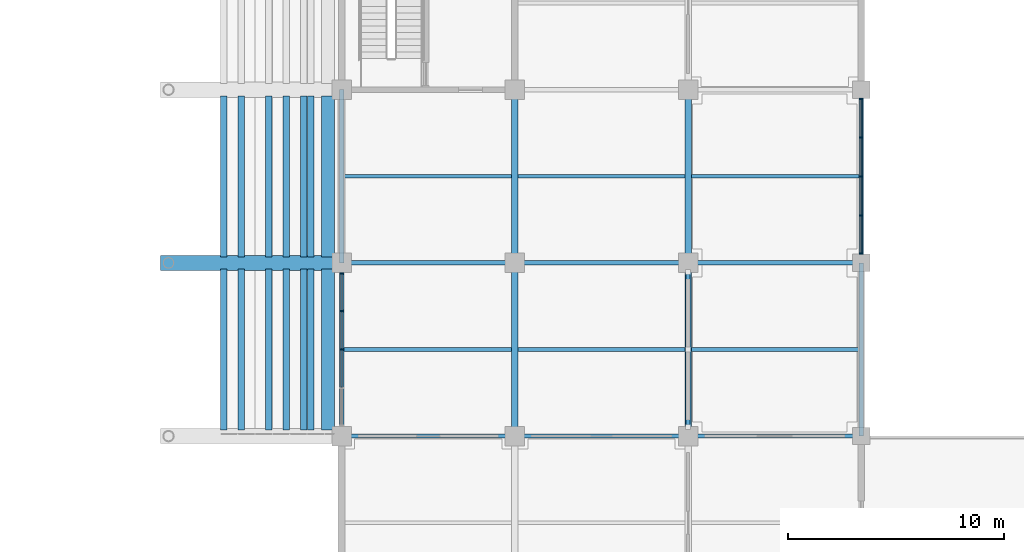
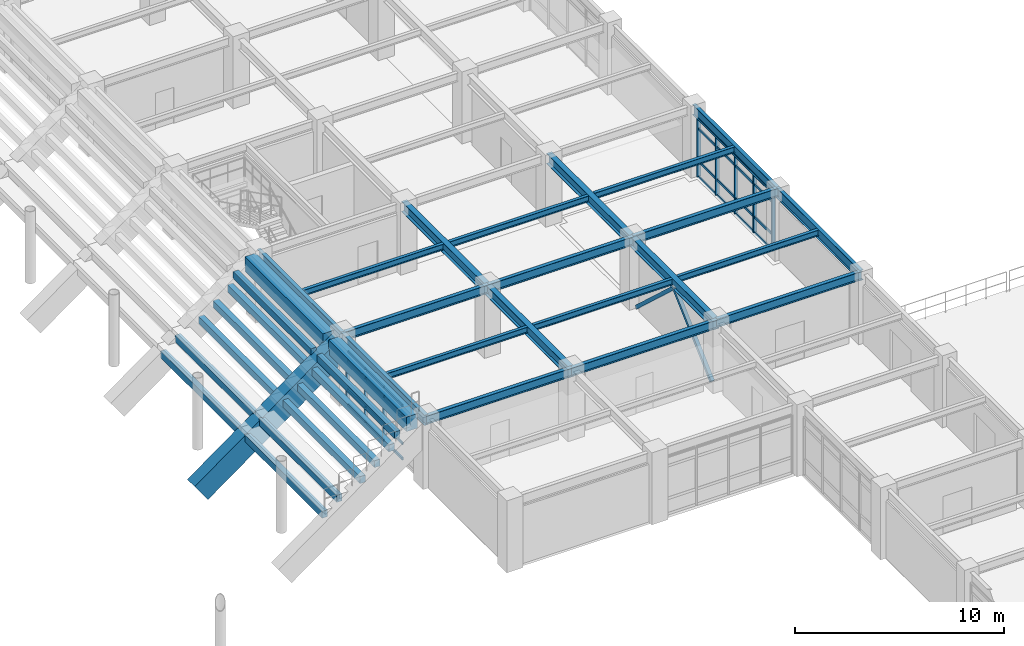
# One storey, part 37 of 118: 38 members, 35 beams, 2 elements without a shape of their own.
"""IFC4 building model written with IfcOpenShell, lengths in metres."""

import ifcopenshell
import ifcopenshell.guid

model = None  # the IFC model being written
_history = None  # IfcOwnerHistory: only IFC2X3 demands one
_inside = {}  # id of a spatial element -> (the spatial element, [elements in it])
_under = {}  # id of a project, library or spatial element -> (it, [spatial elements below it])
_declared = {}  # id of a project -> (the project, [libraries it declares])
_typed = {}  # id of a type object -> (the type object, [elements of that type])
_made_of = {}  # id of a material, layer set ... -> (it, [elements and type objects made of it])


def new_model(schema):
    """Start an empty IFC model of exactly this schema.

    Asked for "IFC4X3", IfcOpenShell would pick the latest addendum, in which some entities
    have other attributes; the version numbers below select the first issue.
    IFC2X3 requires an IfcOwnerHistory on every rooted entity: one is made here for all.
    """
    global model, _history
    if schema == "IFC4X3":
        model = ifcopenshell.file(schema_version=(4, 3, 0, 0))
    else:
        model = ifcopenshell.file(schema=schema)
    _inside.clear()
    _under.clear()
    _declared.clear()
    _typed.clear()
    _made_of.clear()
    _history = None
    if model.schema == "IFC2X3":
        org = make("IfcOrganization", Name="unknown")
        user = make(
            "IfcPersonAndOrganization",
            ThePerson=make("IfcPerson", FamilyName="unknown"),
            TheOrganization=org,
        )
        app = make(
            "IfcApplication",
            ApplicationDeveloper=org,
            Version="unknown",
            ApplicationFullName="unknown",
            ApplicationIdentifier="unknown",
        )
        _history = make(
            "IfcOwnerHistory",
            OwningUser=user,
            OwningApplication=app,
            ChangeAction="ADDED",
            CreationDate=0,
        )
    return model


def make(cls, **values):
    """One entity of the class cls with the attributes given. An attribute that is None is left unset."""
    return model.create_entity(
        cls, **{name: value for name, value in values.items() if value is not None}
    )


def rooted(cls, **values):
    """An entity with a GlobalId (a new one), such as an element, a storey or a relation."""
    return make(cls, GlobalId=ifcopenshell.guid.new(), OwnerHistory=_history, **values)


def si_unit(unit_type, name, prefix=None):
    """IfcSIUnit, for example si_unit("LENGTHUNIT", "METRE", prefix="MILLI")."""
    return make("IfcSIUnit", UnitType=unit_type, Prefix=prefix, Name=name)


def assignment(units):
    """IfcUnitAssignment: the units of a project."""
    return None if units is None else make("IfcUnitAssignment", Units=units)


def point(xyz):
    """IfcCartesianPoint."""
    return None if xyz is None else make("IfcCartesianPoint", Coordinates=xyz)


def direction(xyz):
    """IfcDirection."""
    return None if xyz is None else make("IfcDirection", DirectionRatios=xyz)


def frame(location, z_axis=None, x_axis=None):
    """IfcAxis2Placement3D, a coordinate frame: its origin and axes. An axis left out is left unset."""
    return make(
        "IfcAxis2Placement3D",
        Location=point(location),
        Axis=direction(z_axis),
        RefDirection=direction(x_axis),
    )


def frame_2d(location, x_axis=None):
    """IfcAxis2Placement2D, a coordinate frame in the plane: its origin and x axis."""
    return make(
        "IfcAxis2Placement2D", Location=point(location), RefDirection=direction(x_axis)
    )


def origin():
    """The frame at (0, 0, 0) with its axes left unset."""
    return frame((0.0, 0.0, 0.0))


def origin_2d():
    """The frame at (0, 0) in the plane with its x axis left unset."""
    return frame_2d((0.0, 0.0))


def place(relative_to, where):
    """IfcLocalPlacement: puts the frame where relative to a parent placement (None: the world)."""
    return make(
        "IfcLocalPlacement", PlacementRelTo=relative_to, RelativePlacement=where
    )


def context(
    kind, dimensions, precision=None, world=None, true_north=None, identifier=None
):
    """IfcGeometricRepresentationContext, for example the 3D "Model" context."""
    return make(
        "IfcGeometricRepresentationContext",
        ContextIdentifier=identifier,
        ContextType=kind,
        CoordinateSpaceDimension=dimensions,
        Precision=precision,
        WorldCoordinateSystem=world,
        TrueNorth=true_north,
    )


def subcontext(parent, identifier, kind, view, scale=None):
    """IfcGeometricRepresentationSubContext, for example "Body" below "Model"."""
    return make(
        "IfcGeometricRepresentationSubContext",
        ContextIdentifier=identifier,
        ContextType=kind,
        ParentContext=parent,
        TargetScale=scale,
        TargetView=view,
    )


def project(units=None, contexts=None):
    """IfcProject with its units and contexts."""
    return rooted(
        "IfcProject",
        Name="project",
        RepresentationContexts=contexts,
        UnitsInContext=assignment(units),
    )


def spatial(cls, under=None, at=None, **own):
    """A site, building, storey or space (cls), placed at a placement, below another one or the project."""
    s = rooted(cls, ObjectPlacement=at, **own)
    if under is not None:
        _under.setdefault(under.id(), (under, []))[1].append(s)
    return s


def profile(cls, at=None, kind="AREA", **sizes):
    """A parametric profile (cls). Its sizes go by their IFC names, for example OverallWidth=200.0."""
    return make(cls, ProfileType=kind, Position=at, **sizes)


def rectangle(**sizes):
    """IfcRectangleProfileDef."""
    return profile("IfcRectangleProfileDef", **sizes)


def hollow_rectangle(**sizes):
    """IfcRectangleHollowProfileDef."""
    return profile("IfcRectangleHollowProfileDef", **sizes)


def i_section(**sizes):
    """IfcIShapeProfileDef."""
    return profile("IfcIShapeProfileDef", **sizes)


def extrude(swept, where, along, depth):
    """IfcExtrudedAreaSolid: the profile swept, set in the frame where, extruded along a direction by depth."""
    return make(
        "IfcExtrudedAreaSolid",
        SweptArea=swept,
        Position=where,
        ExtrudedDirection=direction(along),
        Depth=depth,
    )


def shape(context_of_items, identifier, shape_type, items):
    """IfcShapeRepresentation: the items that make up one representation, for example the "Body"."""
    return make(
        "IfcShapeRepresentation",
        ContextOfItems=context_of_items,
        RepresentationIdentifier=identifier,
        RepresentationType=shape_type,
        Items=items,
    )


def material(Name=None, Category=None):
    """IfcMaterial."""
    return make("IfcMaterial", Name=Name, Category=Category)


def layer(
    of_material, thickness, ventilated=None, Name=None, Category=None, Priority=None
):
    """IfcMaterialLayer: one layer of a wall or slab, of a material (None: an air gap)."""
    return make(
        "IfcMaterialLayer",
        Material=of_material,
        LayerThickness=thickness,
        IsVentilated=ventilated,
        Name=Name,
        Category=Category,
        Priority=Priority,
    )


def layer_set(layers, Name=None):
    """IfcMaterialLayerSet."""
    return make("IfcMaterialLayerSet", MaterialLayers=layers, LayerSetName=Name)


def material_profile(
    of_material, cross_section, Name=None, Category=None, Priority=None
):
    """IfcMaterialProfile: a cross section and its material."""
    return make(
        "IfcMaterialProfile",
        Name=Name,
        Material=of_material,
        Profile=cross_section,
        Priority=Priority,
        Category=Category,
    )


def profile_set(profiles, Name=None, composite=None):
    """IfcMaterialProfileSet."""
    return make(
        "IfcMaterialProfileSet",
        Name=Name,
        MaterialProfiles=profiles,
        CompositeProfile=composite,
    )


def made_of(thing, what):
    """Note that an element or type object is made of a material, layer set ...; save() writes the relation."""
    if what is not None:
        _made_of.setdefault(what.id(), (what, []))[1].append(thing)
    return thing


def type_object(cls, material=None, **own):
    """A type object (cls), such as IfcWallType, which elements share."""
    return made_of(rooted(cls, **own), material)


def element(
    cls,
    number,
    at=None,
    inside=None,
    cuts=None,
    type_object=None,
    material=None,
    context=None,
    identifier="Body",
    shape_type=None,
    held_by="IfcProductDefinitionShape",
    body=None,
    shapes=None,
    **own,
):
    """One element of the class cls, such as IfcWall. Its Tag is "e" and its number.

    at: its placement. inside: the storey or other place that contains it. cuts: it is an
    opening in that element (IfcRelVoidsElement). A single representation is given by context,
    identifier, shape_type and body (its items); several are given by shapes. held_by: the class
    of the entity that holds the representations. save() writes the other relations.
    """
    e = rooted(cls, Tag="e%d" % number, ObjectPlacement=at, **own)
    if body is not None:
        shapes = [shape(context, identifier, shape_type, body)]
    if shapes is not None:
        e.Representation = make(held_by, Representations=shapes)
    if inside is not None:
        _inside.setdefault(inside.id(), (inside, []))[1].append(e)
    if cuts is not None:
        rooted(
            "IfcRelVoidsElement", RelatingBuildingElement=cuts, RelatedOpeningElement=e
        )
    if type_object is not None:
        _typed.setdefault(type_object.id(), (type_object, []))[1].append(e)
    return made_of(e, material)


def aggregate(whole, parts):
    """IfcRelAggregates: a whole, such as a stair, and the parts it consists of."""
    return rooted("IfcRelAggregates", RelatingObject=whole, RelatedObjects=parts)


def save(model, path):
    """Write the relations noted so far, then the file.

    IfcRelAggregates (storeys below a building ...), IfcRelContainedInSpatialStructure (elements
    in a storey), IfcRelDefinesByType, IfcRelAssociatesMaterial and IfcRelDeclares: one each for
    every whole, place, type object, material and project.
    """
    for whole, parts in _under.values():
        aggregate(whole, parts)
    for where, things in _inside.values():
        rooted(
            "IfcRelContainedInSpatialStructure",
            RelatedElements=things,
            RelatingStructure=where,
        )
    for kind, things in _typed.values():
        rooted("IfcRelDefinesByType", RelatedObjects=things, RelatingType=kind)
    for what, things in _made_of.values():
        rooted("IfcRelAssociatesMaterial", RelatedObjects=things, RelatingMaterial=what)
    for by, libraries in _declared.values():
        rooted("IfcRelDeclares", RelatingContext=by, RelatedDefinitions=libraries)
    model.write(path)


model = new_model("IFC4")

# Units and contexts
model_context = context("Model", 3, precision=1e-05, world=origin(), true_north=direction((0.0, 1.0)))
body_context = subcontext(model_context, "Body", "Model", "MODEL_VIEW")
ifc_project = project(units=[si_unit("LENGTHUNIT", "METRE"), si_unit("AREAUNIT", "SQUARE_METRE"), si_unit("VOLUMEUNIT", "CUBIC_METRE"), si_unit("PLANEANGLEUNIT", "RADIAN"), si_unit("MASSUNIT", "GRAM", prefix="KILO")], contexts=[model_context])

# Site, building, storey
site_placement = place(None, origin())
site = spatial("IfcSite", under=ifc_project, at=site_placement, CompositionType="ELEMENT")
building_placement = place(site_placement, origin())
building = spatial("IfcBuilding", under=site, at=building_placement, Name="Haebicheon Civic Stadium", CompositionType="ELEMENT")
storey_placement = place(building_placement, frame((0.0, 0.0, 14.39990234375)))
storey = spatial("IfcBuildingStorey", under=building, at=storey_placement, Name="L04", CompositionType="ELEMENT", Elevation=14.39990234375)

# Beams
ifc_material_1 = material(Name="Precast concrete C40/50", Category="concrete")
ifc_material_profile_1 = material_profile(ifc_material_1, rectangle(XDim=0.300048828125, YDim=0.39990234375, at=origin_2d()), Name="PC-LN-300x400")
ifc_profile_set_1 = profile_set([ifc_material_profile_1], Name="Precast concrete C40/50")
beam_type_1 = type_object("IfcBeamType", Name="BM-LN-300x400", PredefinedType="LINTEL", material=ifc_profile_set_1)
for number, where, z_axis, x_axis, name in (
    (1, (138.56005859375, 48.280029296875, -0.10693359375), (0.0, 1.0, 0.0), (-1.0, 0.0, 0.0), "TIER-E-U precast step carrier beam 1.4"),
    (2, (139.360107421875, 48.280029296875, 0.5380859375), (0.0, 1.0, 0.0), (-1.0, 0.0, 0.0), "TIER-E-U precast step carrier beam 1.5"),
    (3, (140.639892578125, 48.280029296875, 1.18212890625), (0.0, 1.0, 0.0), (-1.0, 0.0, 0.0), "TIER-E-U precast step carrier beam 1.6"),
    (4, (141.43994140625, 48.280029296875, 1.8271484375), (0.0, 1.0, 0.0), (-1.0, 0.0, 0.0), "TIER-E-U precast step carrier beam 1.7"),
    (5, (142.239990234375, 48.280029296875, 2.47119140625), (0.0, 1.0, 0.0), (-1.0, 0.0, 0.0), "TIER-E-U precast step carrier beam 1.8"),
    (6, (142.56005859375, 48.280029296875, 3.1162109375), (0.0, 1.0, 0.0), (-1.0, 0.0, 0.0), "TIER-E-U precast step carrier beam 1.9"),
    (7, (138.56005859375, 56.280029296875, -0.10693359375), (0.0, 1.0, 0.0), (-1.0, 0.0, 0.0), "TIER-E-U precast step carrier beam 2.4"),
    (8, (139.360107421875, 56.280029296875, 0.5380859375), (0.0, 1.0, 0.0), (-1.0, 0.0, 0.0), "TIER-E-U precast step carrier beam 2.5"),
    (9, (140.639892578125, 56.280029296875, 1.18212890625), (0.0, 1.0, 0.0), (-1.0, 0.0, 0.0), "TIER-E-U precast step carrier beam 2.6"),
    (10, (141.43994140625, 56.280029296875, 1.8271484375), (0.0, 1.0, 0.0), (-1.0, 0.0, 0.0), "TIER-E-U precast step carrier beam 2.7"),
    (11, (142.239990234375, 56.280029296875, 2.47119140625), (0.0, 1.0, 0.0), (-1.0, 0.0, 0.0), "TIER-E-U precast step carrier beam 2.8"),
    (12, (142.56005859375, 56.280029296875, 3.1162109375), (0.0, 1.0, 0.0), (-1.0, 0.0, 0.0), "TIER-E-U precast step carrier beam 2.9"),
):
    element("IfcBeam", number, at=place(storey_placement, frame(where, z_axis=z_axis, x_axis=x_axis)), inside=storey, type_object=beam_type_1, material=ifc_profile_set_1, Name=name, PredefinedType="LINTEL", context=body_context, shape_type="SweptSolid", body=[
        extrude(rectangle(XDim=0.300048828125, YDim=0.39990234375, at=origin_2d()), origin(), (0.0, 0.0, 1.0), 7.43994140625),
    ])
ifc_material_2 = material(Name="Steel SM355 (S355)", Category="steel")
ifc_material_profile_2 = material_profile(ifc_material_2, i_section(OverallWidth=0.199951171875, OverallDepth=0.5, WebThickness=0.010009765625, FlangeThickness=0.01611328125, at=origin_2d()), Name="H-500x200x10x16")
ifc_profile_set_2 = profile_set([ifc_material_profile_2], Name="Steel SM355 (S355)")
beam_type_2 = type_object("IfcBeamType", Name="BM-ST-H500", PredefinedType="BEAM", material=ifc_profile_set_2)
for number, where, z_axis, x_axis, name in (
    (13, (144.0, 48.0, 3.690185546875), (1.0, 0.0, 0.0), (0.0, 1.0, 0.0), "L04 beam G/19-20"),
    (14, (144.0, 56.0, 3.690185546875), (1.0, 0.0, 0.0), (0.0, 1.0, 0.0), "L04 beam H/19-20"),
    (15, (152.0, 48.0, 3.690185546875), (1.0, 0.0, 0.0), (0.0, 1.0, 0.0), "L04 beam G/20-21"),
    (16, (152.0, 56.0, 3.690185546875), (1.0, 0.0, 0.0), (0.0, 1.0, 0.0), "L04 beam H/20-21"),
    (17, (160.0, 48.0, 3.72998046875), (1.0, 0.0, 0.0), (0.0, 1.0, 0.0), "L04 beam G/21-22"),
    (18, (160.0, 56.0, 3.72998046875), (1.0, 0.0, 0.0), (0.0, 1.0, 0.0), "L04 beam H/21-22"),
):
    element("IfcBeam", number, at=place(storey_placement, frame(where, z_axis=z_axis, x_axis=x_axis)), inside=storey, type_object=beam_type_2, material=ifc_profile_set_2, Name=name, PredefinedType="BEAM", context=body_context, shape_type="SweptSolid", body=[
        extrude(i_section(OverallWidth=0.199951171875, OverallDepth=0.5, WebThickness=0.010009765625, FlangeThickness=0.01611328125, at=origin_2d()), origin(), (0.0, 0.0, 1.0), 8.0),
    ])
ifc_material_3 = material(Name="Steel SM355 (S355)", Category="steel")
ifc_material_profile_3 = material_profile(ifc_material_3, i_section(OverallWidth=0.300048828125, OverallDepth=0.60009765625, WebThickness=0.011962890625, FlangeThickness=0.02001953125, at=origin_2d()), Name="H-600x300x12x20")
ifc_profile_set_3 = profile_set([ifc_material_profile_3], Name="Steel SM355 (S355)")
beam_type_3 = type_object("IfcBeamType", Name="BM-ST-H600A", PredefinedType="BEAM", material=ifc_profile_set_3)
for number, where, z_axis, x_axis, name in (
    (19, (152.0, 48.0, 3.64013671875), (0.0, 1.0, 0.0), (-1.0, 0.0, 0.0), "L04 girder 20/G-H"),
    (20, (152.0, 56.0, 3.64013671875), (0.0, 1.0, 0.0), (-1.0, 0.0, 0.0), "L04 girder 20/H-J"),
    (21, (160.0, 48.0, 3.64013671875), (0.0, 1.0, 0.0), (-1.0, 0.0, 0.0), "L04 girder 21/G-H"),
    (22, (160.0, 56.0, 3.64013671875), (0.0, 1.0, 0.0), (-1.0, 0.0, 0.0), "L04 girder 21/H-J"),
):
    element("IfcBeam", number, at=place(storey_placement, frame(where, z_axis=z_axis, x_axis=x_axis)), inside=storey, type_object=beam_type_3, material=ifc_profile_set_3, Name=name, PredefinedType="BEAM", context=body_context, shape_type="SweptSolid", body=[
        extrude(i_section(OverallWidth=0.300048828125, OverallDepth=0.60009765625, WebThickness=0.011962890625, FlangeThickness=0.02001953125, at=origin_2d()), origin(), (0.0, 0.0, 1.0), 8.0),
    ])
ifc_material_4 = material(Name="Precast concrete C40/50", Category="concrete")
ifc_material_profile_4 = material_profile(ifc_material_4, rectangle(XDim=0.60009765625, YDim=0.85009765625, at=origin_2d()), Name="PC-TB-600x850")
ifc_profile_set_4 = profile_set([ifc_material_profile_4], Name="Precast concrete C40/50")
beam_type_4 = type_object("IfcBeamType", Name="BM-TB-600x850", PredefinedType="T_BEAM", material=ifc_profile_set_4)
for number, where, z_axis, x_axis, name in (
    (23, (143.360107421875, 48.280029296875, 3.53515625), (0.0, 1.0, 0.0), (-1.0, 0.0, 0.0), "TIER-E-U upper tier bench carrier beam 1"),
    (24, (143.360107421875, 56.280029296875, 3.53515625), (0.0, 1.0, 0.0), (-1.0, 0.0, 0.0), "TIER-E-U upper tier bench carrier beam 2"),
):
    element("IfcBeam", number, at=place(storey_placement, frame(where, z_axis=z_axis, x_axis=x_axis)), inside=storey, type_object=beam_type_4, material=ifc_profile_set_4, Name=name, PredefinedType="T_BEAM", context=body_context, shape_type="SweptSolid", body=[
        extrude(rectangle(XDim=0.60009765625, YDim=0.85009765625, at=origin_2d()), origin(), (0.0, 0.0, 1.0), 7.43994140625),
    ])

# Members
ifc_material_5 = material(Name="Steel SM355 (S355)", Category="steel")
ifc_material_profile_5 = material_profile(ifc_material_5, hollow_rectangle(XDim=0.199951171875, YDim=0.199951171875, WallThickness=0.009033203125, at=origin_2d()), Name="RHS-200x200x9.0")
ifc_profile_set_5 = profile_set([ifc_material_profile_5], Name="Steel SM355 (S355)")
member_type_1 = type_object("IfcMemberType", Name="BRC-RHS200", PredefinedType="BRACE", material=ifc_profile_set_5)
for number, where, z_axis, x_axis, name in (
    (25, (160.0, 48.419921875, 0.0400390625), (0.0, 0.735278088986, 0.677765543427), (-1.0, 0.0, 0.0), "BR200 chevron brace L04 19-06 A"),
    (26, (160.0, 55.580078125, 0.0400390625), (0.0, -0.735278088986, 0.677765543427), (1.0, 0.0, 0.0), "BR200 chevron brace L04 19-06 B"),
):
    element("IfcMember", number, at=place(storey_placement, frame(where, z_axis=z_axis, x_axis=x_axis)), inside=storey, type_object=member_type_1, material=ifc_profile_set_5, Name=name, PredefinedType="BRACE", context=body_context, shape_type="SweptSolid", body=[
        extrude(hollow_rectangle(XDim=0.199951171875, YDim=0.199951171875, WallThickness=0.009033203125, at=origin_2d()), origin(), (0.0, 0.0, 1.0), 4.868896484375),
    ])

# Curtain wall, members
ifc_material_6 = material(Name="Anodised aluminium and laminated glass", Category="aluminium")
ifc_layer_1 = layer(ifc_material_6, 0.179931640625, Name="Anodised aluminium and laminated glass")
ifc_layer_set_1 = layer_set([ifc_layer_1], Name="Anodised aluminium and laminated glass")
curtain_wall_type_1 = type_object("IfcCurtainWallType", Name="CW-7100x3100", PredefinedType="NOTDEFINED", material=ifc_layer_set_1)
curtain_wall_1_placement = place(storey_placement, origin())
curtain_wall_1 = element("IfcCurtainWall", 27, at=curtain_wall_1_placement, inside=storey, type_object=curtain_wall_type_1, material=ifc_layer_set_1, Name="L04 unitised curtain wall 143", PredefinedType="NOTDEFINED")
ifc_material_7 = material(Name="Anodised aluminium 6063-T6", Category="aluminium")
ifc_material_profile_6 = material_profile(ifc_material_7, rectangle(XDim=0.070068359375, YDim=0.199951171875, at=origin_2d()), Name="ALU-MULL-70x200")
ifc_profile_set_6 = profile_set([ifc_material_profile_6], Name="Anodised aluminium 6063-T6")
member_type_2 = type_object("IfcMemberType", Name="CWM-200x70", PredefinedType="MULLION", material=ifc_profile_set_6)
member_1_placement = place(storey_placement, frame((144.0, 52.0, 0.0), z_axis=(0.0, 0.0, 1.0), x_axis=(0.0, 1.0, 0.0)))
member_1 = element("IfcMember", 28, at=member_1_placement, type_object=member_type_2, material=ifc_profile_set_6, Name="CW-L04-143 vertical mullion 3", PredefinedType="MULLION", context=body_context, shape_type="SweptSolid", body=[
    extrude(rectangle(XDim=0.070068359375, YDim=0.199951171875, at=origin_2d()), origin(), (0.0, 0.0, 1.0), 3.10009765625),
])
member_2_placement = place(storey_placement, frame((144.0, 53.77490234375, 0.0), z_axis=(0.0, 0.0, 1.0), x_axis=(0.0, 1.0, 0.0)))
member_2 = element("IfcMember", 29, at=member_2_placement, type_object=member_type_2, material=ifc_profile_set_6, Name="CW-L04-143 vertical mullion 4", PredefinedType="MULLION", context=body_context, shape_type="SweptSolid", body=[
    extrude(rectangle(XDim=0.070068359375, YDim=0.199951171875, at=origin_2d()), origin(), (0.0, 0.0, 1.0), 3.10009765625),
])
member_3_placement = place(storey_placement, frame((144.0, 55.514892578125, 0.0), z_axis=(0.0, 0.0, 1.0), x_axis=(0.0, 1.0, 0.0)))
member_3 = element("IfcMember", 30, at=member_3_placement, type_object=member_type_2, material=ifc_profile_set_6, Name="CW-L04-143 vertical mullion 5", PredefinedType="MULLION", context=body_context, shape_type="SweptSolid", body=[
    extrude(rectangle(XDim=0.070068359375, YDim=0.199951171875, at=origin_2d()), origin(), (0.0, 0.0, 1.0), 3.10009765625),
])

ifc_material_8 = material(Name="Anodised aluminium and laminated glass", Category="aluminium")
ifc_layer_2 = layer(ifc_material_8, 0.179931640625, Name="Anodised aluminium and laminated glass")
ifc_layer_set_2 = layer_set([ifc_layer_2], Name="Anodised aluminium and laminated glass")
curtain_wall_type_2 = type_object("IfcCurtainWallType", Name="CW-7200x3350", PredefinedType="NOTDEFINED", material=ifc_layer_set_2)
curtain_wall_2_placement = place(storey_placement, origin())
curtain_wall_2 = element("IfcCurtainWall", 31, at=curtain_wall_2_placement, inside=storey, type_object=curtain_wall_type_2, material=ifc_layer_set_2, Name="L04 unitised curtain wall 154", PredefinedType="NOTDEFINED")
member_4_placement = place(storey_placement, frame((168.0, 56.43505859375, 0.0), z_axis=(0.0, 0.0, 1.0), x_axis=(0.0, 1.0, 0.0)))
member_4 = element("IfcMember", 32, at=member_4_placement, type_object=member_type_2, material=ifc_profile_set_6, Name="CW-L04-154 vertical mullion 1", PredefinedType="MULLION", context=body_context, shape_type="SweptSolid", body=[
    extrude(rectangle(XDim=0.070068359375, YDim=0.199951171875, at=origin_2d()), origin(), (0.0, 0.0, 1.0), 3.35009765625),
])
member_5_placement = place(storey_placement, frame((168.0, 58.199951171875, 0.0), z_axis=(0.0, 0.0, 1.0), x_axis=(0.0, 1.0, 0.0)))
member_5 = element("IfcMember", 33, at=member_5_placement, type_object=member_type_2, material=ifc_profile_set_6, Name="CW-L04-154 vertical mullion 2", PredefinedType="MULLION", context=body_context, shape_type="SweptSolid", body=[
    extrude(rectangle(XDim=0.070068359375, YDim=0.199951171875, at=origin_2d()), origin(), (0.0, 0.0, 1.0), 3.35009765625),
])
member_6_placement = place(storey_placement, frame((168.0, 60.0, 0.0), z_axis=(0.0, 0.0, 1.0), x_axis=(0.0, 1.0, 0.0)))
member_6 = element("IfcMember", 34, at=member_6_placement, type_object=member_type_2, material=ifc_profile_set_6, Name="CW-L04-154 vertical mullion 3", PredefinedType="MULLION", context=body_context, shape_type="SweptSolid", body=[
    extrude(rectangle(XDim=0.070068359375, YDim=0.199951171875, at=origin_2d()), origin(), (0.0, 0.0, 1.0), 3.35009765625),
])
member_7_placement = place(storey_placement, frame((168.0, 61.800048828125, 0.0), z_axis=(0.0, 0.0, 1.0), x_axis=(0.0, 1.0, 0.0)))
member_7 = element("IfcMember", 35, at=member_7_placement, type_object=member_type_2, material=ifc_profile_set_6, Name="CW-L04-154 vertical mullion 4", PredefinedType="MULLION", context=body_context, shape_type="SweptSolid", body=[
    extrude(rectangle(XDim=0.070068359375, YDim=0.199951171875, at=origin_2d()), origin(), (0.0, 0.0, 1.0), 3.35009765625),
])
member_8_placement = place(storey_placement, frame((168.0, 63.56494140625, 0.0), z_axis=(0.0, 0.0, 1.0), x_axis=(0.0, 1.0, 0.0)))
member_8 = element("IfcMember", 36, at=member_8_placement, type_object=member_type_2, material=ifc_profile_set_6, Name="CW-L04-154 vertical mullion 5", PredefinedType="MULLION", context=body_context, shape_type="SweptSolid", body=[
    extrude(rectangle(XDim=0.070068359375, YDim=0.199951171875, at=origin_2d()), origin(), (0.0, 0.0, 1.0), 3.35009765625),
])

# Member
ifc_material_9 = material(Name="Anodised aluminium 6063-T6", Category="aluminium")
ifc_material_profile_7 = material_profile(ifc_material_9, rectangle(XDim=0.070068359375, YDim=0.14990234375, at=origin_2d()), Name="ALU-TRAN-70x150")
ifc_profile_set_7 = profile_set([ifc_material_profile_7], Name="Anodised aluminium 6063-T6")
member_type_3 = type_object("IfcMemberType", Name="CWT-150x70", PredefinedType="NOTDEFINED", material=ifc_profile_set_7)
member_9_placement = place(storey_placement, frame((144.0, 50.260009765625, 0.0), z_axis=(0.0, 1.0, 0.0), x_axis=(-1.0, 0.0, 0.0)))
member_9 = element("IfcMember", 37, at=member_9_placement, type_object=member_type_3, material=ifc_profile_set_7, Name="CW-L04-143 horizontal transom 2.1", ObjectType="TRANSOM", PredefinedType="USERDEFINED", context=body_context, shape_type="SweptSolid", body=[
    extrude(rectangle(XDim=0.070068359375, YDim=0.14990234375, at=origin_2d()), origin(), (0.0, 0.0, 1.0), 1.705078125),
])

member_10_placement = place(storey_placement, frame((144.0, 50.260009765625, 0.900146484375), z_axis=(0.0, 1.0, 0.0), x_axis=(-1.0, 0.0, 0.0)))
member_10 = element("IfcMember", 38, at=member_10_placement, type_object=member_type_3, material=ifc_profile_set_7, Name="CW-L04-143 horizontal transom 2.2", ObjectType="TRANSOM", PredefinedType="USERDEFINED", context=body_context, shape_type="SweptSolid", body=[
    extrude(rectangle(XDim=0.070068359375, YDim=0.14990234375, at=origin_2d()), origin(), (0.0, 0.0, 1.0), 1.705078125),
])

member_11_placement = place(storey_placement, frame((144.0, 50.260009765625, 2.550048828125), z_axis=(0.0, 1.0, 0.0), x_axis=(-1.0, 0.0, 0.0)))
member_11 = element("IfcMember", 39, at=member_11_placement, type_object=member_type_3, material=ifc_profile_set_7, Name="CW-L04-143 horizontal transom 2.3", ObjectType="TRANSOM", PredefinedType="USERDEFINED", context=body_context, shape_type="SweptSolid", body=[
    extrude(rectangle(XDim=0.070068359375, YDim=0.14990234375, at=origin_2d()), origin(), (0.0, 0.0, 1.0), 1.705078125),
])

member_12_placement = place(storey_placement, frame((144.0, 50.260009765625, 3.10009765625), z_axis=(0.0, 1.0, 0.0), x_axis=(-1.0, 0.0, 0.0)))
member_12 = element("IfcMember", 40, at=member_12_placement, type_object=member_type_3, material=ifc_profile_set_7, Name="CW-L04-143 horizontal transom 2.4", ObjectType="TRANSOM", PredefinedType="USERDEFINED", context=body_context, shape_type="SweptSolid", body=[
    extrude(rectangle(XDim=0.070068359375, YDim=0.14990234375, at=origin_2d()), origin(), (0.0, 0.0, 1.0), 1.705078125),
])

member_13_placement = place(storey_placement, frame((144.0, 52.034912109375, 0.0), z_axis=(0.0, 1.0, 0.0), x_axis=(-1.0, 0.0, 0.0)))
member_13 = element("IfcMember", 41, at=member_13_placement, type_object=member_type_3, material=ifc_profile_set_7, Name="CW-L04-143 horizontal transom 3.1", ObjectType="TRANSOM", PredefinedType="USERDEFINED", context=body_context, shape_type="SweptSolid", body=[
    extrude(rectangle(XDim=0.070068359375, YDim=0.14990234375, at=origin_2d()), origin(), (0.0, 0.0, 1.0), 1.705078125),
])

member_14_placement = place(storey_placement, frame((144.0, 52.034912109375, 0.900146484375), z_axis=(0.0, 1.0, 0.0), x_axis=(-1.0, 0.0, 0.0)))
member_14 = element("IfcMember", 42, at=member_14_placement, type_object=member_type_3, material=ifc_profile_set_7, Name="CW-L04-143 horizontal transom 3.2", ObjectType="TRANSOM", PredefinedType="USERDEFINED", context=body_context, shape_type="SweptSolid", body=[
    extrude(rectangle(XDim=0.070068359375, YDim=0.14990234375, at=origin_2d()), origin(), (0.0, 0.0, 1.0), 1.705078125),
])

member_15_placement = place(storey_placement, frame((144.0, 52.034912109375, 2.550048828125), z_axis=(0.0, 1.0, 0.0), x_axis=(-1.0, 0.0, 0.0)))
member_15 = element("IfcMember", 43, at=member_15_placement, type_object=member_type_3, material=ifc_profile_set_7, Name="CW-L04-143 horizontal transom 3.3", ObjectType="TRANSOM", PredefinedType="USERDEFINED", context=body_context, shape_type="SweptSolid", body=[
    extrude(rectangle(XDim=0.070068359375, YDim=0.14990234375, at=origin_2d()), origin(), (0.0, 0.0, 1.0), 1.705078125),
])

member_16_placement = place(storey_placement, frame((144.0, 52.034912109375, 3.10009765625), z_axis=(0.0, 1.0, 0.0), x_axis=(-1.0, 0.0, 0.0)))
member_16 = element("IfcMember", 44, at=member_16_placement, type_object=member_type_3, material=ifc_profile_set_7, Name="CW-L04-143 horizontal transom 3.4", ObjectType="TRANSOM", PredefinedType="USERDEFINED", context=body_context, shape_type="SweptSolid", body=[
    extrude(rectangle(XDim=0.070068359375, YDim=0.14990234375, at=origin_2d()), origin(), (0.0, 0.0, 1.0), 1.705078125),
])

member_17_placement = place(storey_placement, frame((144.0, 53.81005859375, 0.0), z_axis=(0.0, 1.0, 0.0), x_axis=(-1.0, 0.0, 0.0)))
member_17 = element("IfcMember", 45, at=member_17_placement, type_object=member_type_3, material=ifc_profile_set_7, Name="CW-L04-143 horizontal transom 4.1", ObjectType="TRANSOM", PredefinedType="USERDEFINED", context=body_context, shape_type="SweptSolid", body=[
    extrude(rectangle(XDim=0.070068359375, YDim=0.14990234375, at=origin_2d()), origin(), (0.0, 0.0, 1.0), 1.669921875),
])

member_18_placement = place(storey_placement, frame((144.0, 53.81005859375, 0.900146484375), z_axis=(0.0, 1.0, 0.0), x_axis=(-1.0, 0.0, 0.0)))
member_18 = element("IfcMember", 46, at=member_18_placement, type_object=member_type_3, material=ifc_profile_set_7, Name="CW-L04-143 horizontal transom 4.2", ObjectType="TRANSOM", PredefinedType="USERDEFINED", context=body_context, shape_type="SweptSolid", body=[
    extrude(rectangle(XDim=0.070068359375, YDim=0.14990234375, at=origin_2d()), origin(), (0.0, 0.0, 1.0), 1.669921875),
])

member_19_placement = place(storey_placement, frame((144.0, 53.81005859375, 2.550048828125), z_axis=(0.0, 1.0, 0.0), x_axis=(-1.0, 0.0, 0.0)))
member_19 = element("IfcMember", 47, at=member_19_placement, type_object=member_type_3, material=ifc_profile_set_7, Name="CW-L04-143 horizontal transom 4.3", ObjectType="TRANSOM", PredefinedType="USERDEFINED", context=body_context, shape_type="SweptSolid", body=[
    extrude(rectangle(XDim=0.070068359375, YDim=0.14990234375, at=origin_2d()), origin(), (0.0, 0.0, 1.0), 1.669921875),
])

member_20_placement = place(storey_placement, frame((144.0, 53.81005859375, 3.10009765625), z_axis=(0.0, 1.0, 0.0), x_axis=(-1.0, 0.0, 0.0)))
member_20 = element("IfcMember", 48, at=member_20_placement, type_object=member_type_3, material=ifc_profile_set_7, Name="CW-L04-143 horizontal transom 4.4", ObjectType="TRANSOM", PredefinedType="USERDEFINED", context=body_context, shape_type="SweptSolid", body=[
    extrude(rectangle(XDim=0.070068359375, YDim=0.14990234375, at=origin_2d()), origin(), (0.0, 0.0, 1.0), 1.669921875),
])

aggregate(curtain_wall_1, [member_1, member_2, member_3, member_9, member_10, member_11, member_12, member_13, member_14, member_15, member_16, member_17, member_18, member_19, member_20])

member_21_placement = place(storey_placement, frame((168.0, 56.469970703125, 0.0), z_axis=(0.0, 1.0, 0.0), x_axis=(-1.0, 0.0, 0.0)))
member_21 = element("IfcMember", 49, at=member_21_placement, type_object=member_type_3, material=ifc_profile_set_7, Name="CW-L04-154 horizontal transom 1.1", ObjectType="TRANSOM", PredefinedType="USERDEFINED", context=body_context, shape_type="SweptSolid", body=[
    extrude(rectangle(XDim=0.070068359375, YDim=0.14990234375, at=origin_2d()), origin(), (0.0, 0.0, 1.0), 1.695068359375),
])

member_22_placement = place(storey_placement, frame((168.0, 56.469970703125, 0.900146484375), z_axis=(0.0, 1.0, 0.0), x_axis=(-1.0, 0.0, 0.0)))
member_22 = element("IfcMember", 50, at=member_22_placement, type_object=member_type_3, material=ifc_profile_set_7, Name="CW-L04-154 horizontal transom 1.2", ObjectType="TRANSOM", PredefinedType="USERDEFINED", context=body_context, shape_type="SweptSolid", body=[
    extrude(rectangle(XDim=0.070068359375, YDim=0.14990234375, at=origin_2d()), origin(), (0.0, 0.0, 1.0), 1.695068359375),
])

member_23_placement = place(storey_placement, frame((168.0, 56.469970703125, 2.800048828125), z_axis=(0.0, 1.0, 0.0), x_axis=(-1.0, 0.0, 0.0)))
member_23 = element("IfcMember", 51, at=member_23_placement, type_object=member_type_3, material=ifc_profile_set_7, Name="CW-L04-154 horizontal transom 1.3", ObjectType="TRANSOM", PredefinedType="USERDEFINED", context=body_context, shape_type="SweptSolid", body=[
    extrude(rectangle(XDim=0.070068359375, YDim=0.14990234375, at=origin_2d()), origin(), (0.0, 0.0, 1.0), 1.695068359375),
])

member_24_placement = place(storey_placement, frame((168.0, 56.469970703125, 3.35009765625), z_axis=(0.0, 1.0, 0.0), x_axis=(-1.0, 0.0, 0.0)))
member_24 = element("IfcMember", 52, at=member_24_placement, type_object=member_type_3, material=ifc_profile_set_7, Name="CW-L04-154 horizontal transom 1.4", ObjectType="TRANSOM", PredefinedType="USERDEFINED", context=body_context, shape_type="SweptSolid", body=[
    extrude(rectangle(XDim=0.070068359375, YDim=0.14990234375, at=origin_2d()), origin(), (0.0, 0.0, 1.0), 1.695068359375),
])

member_25_placement = place(storey_placement, frame((168.0, 58.235107421875, 0.0), z_axis=(0.0, 1.0, 0.0), x_axis=(-1.0, 0.0, 0.0)))
member_25 = element("IfcMember", 53, at=member_25_placement, type_object=member_type_3, material=ifc_profile_set_7, Name="CW-L04-154 horizontal transom 2.1", ObjectType="TRANSOM", PredefinedType="USERDEFINED", context=body_context, shape_type="SweptSolid", body=[
    extrude(rectangle(XDim=0.070068359375, YDim=0.14990234375, at=origin_2d()), origin(), (0.0, 0.0, 1.0), 1.72998046875),
])

member_26_placement = place(storey_placement, frame((168.0, 58.235107421875, 0.900146484375), z_axis=(0.0, 1.0, 0.0), x_axis=(-1.0, 0.0, 0.0)))
member_26 = element("IfcMember", 54, at=member_26_placement, type_object=member_type_3, material=ifc_profile_set_7, Name="CW-L04-154 horizontal transom 2.2", ObjectType="TRANSOM", PredefinedType="USERDEFINED", context=body_context, shape_type="SweptSolid", body=[
    extrude(rectangle(XDim=0.070068359375, YDim=0.14990234375, at=origin_2d()), origin(), (0.0, 0.0, 1.0), 1.72998046875),
])

member_27_placement = place(storey_placement, frame((168.0, 58.235107421875, 2.800048828125), z_axis=(0.0, 1.0, 0.0), x_axis=(-1.0, 0.0, 0.0)))
member_27 = element("IfcMember", 55, at=member_27_placement, type_object=member_type_3, material=ifc_profile_set_7, Name="CW-L04-154 horizontal transom 2.3", ObjectType="TRANSOM", PredefinedType="USERDEFINED", context=body_context, shape_type="SweptSolid", body=[
    extrude(rectangle(XDim=0.070068359375, YDim=0.14990234375, at=origin_2d()), origin(), (0.0, 0.0, 1.0), 1.72998046875),
])

member_28_placement = place(storey_placement, frame((168.0, 58.235107421875, 3.35009765625), z_axis=(0.0, 1.0, 0.0), x_axis=(-1.0, 0.0, 0.0)))
member_28 = element("IfcMember", 56, at=member_28_placement, type_object=member_type_3, material=ifc_profile_set_7, Name="CW-L04-154 horizontal transom 2.4", ObjectType="TRANSOM", PredefinedType="USERDEFINED", context=body_context, shape_type="SweptSolid", body=[
    extrude(rectangle(XDim=0.070068359375, YDim=0.14990234375, at=origin_2d()), origin(), (0.0, 0.0, 1.0), 1.72998046875),
])

member_29_placement = place(storey_placement, frame((168.0, 60.034912109375, 0.0), z_axis=(0.0, 1.0, 0.0), x_axis=(-1.0, 0.0, 0.0)))
member_29 = element("IfcMember", 57, at=member_29_placement, type_object=member_type_3, material=ifc_profile_set_7, Name="CW-L04-154 horizontal transom 3.1", ObjectType="TRANSOM", PredefinedType="USERDEFINED", context=body_context, shape_type="SweptSolid", body=[
    extrude(rectangle(XDim=0.070068359375, YDim=0.14990234375, at=origin_2d()), origin(), (0.0, 0.0, 1.0), 1.72998046875),
])

member_30_placement = place(storey_placement, frame((168.0, 60.034912109375, 0.900146484375), z_axis=(0.0, 1.0, 0.0), x_axis=(-1.0, 0.0, 0.0)))
member_30 = element("IfcMember", 58, at=member_30_placement, type_object=member_type_3, material=ifc_profile_set_7, Name="CW-L04-154 horizontal transom 3.2", ObjectType="TRANSOM", PredefinedType="USERDEFINED", context=body_context, shape_type="SweptSolid", body=[
    extrude(rectangle(XDim=0.070068359375, YDim=0.14990234375, at=origin_2d()), origin(), (0.0, 0.0, 1.0), 1.72998046875),
])

member_31_placement = place(storey_placement, frame((168.0, 60.034912109375, 2.800048828125), z_axis=(0.0, 1.0, 0.0), x_axis=(-1.0, 0.0, 0.0)))
member_31 = element("IfcMember", 59, at=member_31_placement, type_object=member_type_3, material=ifc_profile_set_7, Name="CW-L04-154 horizontal transom 3.3", ObjectType="TRANSOM", PredefinedType="USERDEFINED", context=body_context, shape_type="SweptSolid", body=[
    extrude(rectangle(XDim=0.070068359375, YDim=0.14990234375, at=origin_2d()), origin(), (0.0, 0.0, 1.0), 1.72998046875),
])

member_32_placement = place(storey_placement, frame((168.0, 60.034912109375, 3.35009765625), z_axis=(0.0, 1.0, 0.0), x_axis=(-1.0, 0.0, 0.0)))
member_32 = element("IfcMember", 60, at=member_32_placement, type_object=member_type_3, material=ifc_profile_set_7, Name="CW-L04-154 horizontal transom 3.4", ObjectType="TRANSOM", PredefinedType="USERDEFINED", context=body_context, shape_type="SweptSolid", body=[
    extrude(rectangle(XDim=0.070068359375, YDim=0.14990234375, at=origin_2d()), origin(), (0.0, 0.0, 1.0), 1.72998046875),
])

member_33_placement = place(storey_placement, frame((168.0, 61.8349609375, 0.0), z_axis=(0.0, 1.0, 0.0), x_axis=(-1.0, 0.0, 0.0)))
member_33 = element("IfcMember", 61, at=member_33_placement, type_object=member_type_3, material=ifc_profile_set_7, Name="CW-L04-154 horizontal transom 4.1", ObjectType="TRANSOM", PredefinedType="USERDEFINED", context=body_context, shape_type="SweptSolid", body=[
    extrude(rectangle(XDim=0.070068359375, YDim=0.14990234375, at=origin_2d()), origin(), (0.0, 0.0, 1.0), 1.695068359375),
])

member_34_placement = place(storey_placement, frame((168.0, 61.8349609375, 0.900146484375), z_axis=(0.0, 1.0, 0.0), x_axis=(-1.0, 0.0, 0.0)))
member_34 = element("IfcMember", 62, at=member_34_placement, type_object=member_type_3, material=ifc_profile_set_7, Name="CW-L04-154 horizontal transom 4.2", ObjectType="TRANSOM", PredefinedType="USERDEFINED", context=body_context, shape_type="SweptSolid", body=[
    extrude(rectangle(XDim=0.070068359375, YDim=0.14990234375, at=origin_2d()), origin(), (0.0, 0.0, 1.0), 1.695068359375),
])

member_35_placement = place(storey_placement, frame((168.0, 61.8349609375, 2.800048828125), z_axis=(0.0, 1.0, 0.0), x_axis=(-1.0, 0.0, 0.0)))
member_35 = element("IfcMember", 63, at=member_35_placement, type_object=member_type_3, material=ifc_profile_set_7, Name="CW-L04-154 horizontal transom 4.3", ObjectType="TRANSOM", PredefinedType="USERDEFINED", context=body_context, shape_type="SweptSolid", body=[
    extrude(rectangle(XDim=0.070068359375, YDim=0.14990234375, at=origin_2d()), origin(), (0.0, 0.0, 1.0), 1.695068359375),
])

member_36_placement = place(storey_placement, frame((168.0, 61.8349609375, 3.35009765625), z_axis=(0.0, 1.0, 0.0), x_axis=(-1.0, 0.0, 0.0)))
member_36 = element("IfcMember", 64, at=member_36_placement, type_object=member_type_3, material=ifc_profile_set_7, Name="CW-L04-154 horizontal transom 4.4", ObjectType="TRANSOM", PredefinedType="USERDEFINED", context=body_context, shape_type="SweptSolid", body=[
    extrude(rectangle(XDim=0.070068359375, YDim=0.14990234375, at=origin_2d()), origin(), (0.0, 0.0, 1.0), 1.695068359375),
])

aggregate(curtain_wall_2, [member_4, member_5, member_6, member_7, member_8, member_21, member_22, member_23, member_24, member_25, member_26, member_27, member_28, member_29, member_30, member_31, member_32, member_33, member_34, member_35, member_36])

# Beams
ifc_material_10 = material(Name="Steel SM355 (S355)", Category="steel")
ifc_material_profile_8 = material_profile(ifc_material_10, i_section(OverallWidth=0.175048828125, OverallDepth=0.35009765625, WebThickness=0.007080078125, FlangeThickness=0.010986328125, at=origin_2d()), Name="H-350x175x7x11")
ifc_profile_set_8 = profile_set([ifc_material_profile_8], Name="Steel SM355 (S355)")
beam_type_5 = type_object("IfcBeamType", Name="JST-ST-H350", PredefinedType="JOIST", material=ifc_profile_set_8)
for number, where, z_axis, x_axis, name in (
    (65, (144.10009765625, 52.0, 3.76513671875), (1.0, 0.0, 0.0), (0.0, 1.0, 0.0), "L04 secondary joist 18-06"),
    (66, (144.10009765625, 60.0, 3.76513671875), (1.0, 0.0, 0.0), (0.0, 1.0, 0.0), "L04 secondary joist 18-07"),
):
    element("IfcBeam", number, at=place(storey_placement, frame(where, z_axis=z_axis, x_axis=x_axis)), inside=storey, type_object=beam_type_5, material=ifc_profile_set_8, Name=name, PredefinedType="JOIST", context=body_context, shape_type="SweptSolid", body=[
        extrude(i_section(OverallWidth=0.175048828125, OverallDepth=0.35009765625, WebThickness=0.007080078125, FlangeThickness=0.010986328125, at=origin_2d()), origin(), (0.0, 0.0, 1.0), 7.75),
    ])
for number, where, z_axis, x_axis, name in (
    (67, (152.14990234375, 52.0, 3.76513671875), (1.0, 0.0, 0.0), (0.0, 1.0, 0.0), "L04 secondary joist 19-06"),
    (68, (152.14990234375, 60.0, 3.76513671875), (1.0, 0.0, 0.0), (0.0, 1.0, 0.0), "L04 secondary joist 19-07"),
):
    element("IfcBeam", number, at=place(storey_placement, frame(where, z_axis=z_axis, x_axis=x_axis)), inside=storey, type_object=beam_type_5, material=ifc_profile_set_8, Name=name, PredefinedType="JOIST", context=body_context, shape_type="SweptSolid", body=[
        extrude(i_section(OverallWidth=0.175048828125, OverallDepth=0.35009765625, WebThickness=0.007080078125, FlangeThickness=0.010986328125, at=origin_2d()), origin(), (0.0, 0.0, 1.0), 7.7001953125),
    ])
for number, where, z_axis, x_axis, name in (
    (69, (160.14990234375, 52.0, 3.80517578125), (1.0, 0.0, 0.0), (0.0, 1.0, 0.0), "L04 secondary joist 20-06"),
    (70, (160.14990234375, 60.0, 3.80517578125), (1.0, 0.0, 0.0), (0.0, 1.0, 0.0), "L04 secondary joist 20-07"),
):
    element("IfcBeam", number, at=place(storey_placement, frame(where, z_axis=z_axis, x_axis=x_axis)), inside=storey, type_object=beam_type_5, material=ifc_profile_set_8, Name=name, PredefinedType="JOIST", context=body_context, shape_type="SweptSolid", body=[
        extrude(i_section(OverallWidth=0.175048828125, OverallDepth=0.35009765625, WebThickness=0.007080078125, FlangeThickness=0.010986328125, at=origin_2d()), origin(), (0.0, 0.0, 1.0), 7.75),
    ])
ifc_material_11 = material(Name="Precast concrete C40/50", Category="concrete")
ifc_material_profile_9 = material_profile(ifc_material_11, rectangle(XDim=0.699951171875, YDim=1.25, at=origin_2d()), Name="PC-RK-700x1250")
ifc_profile_set_9 = profile_set([ifc_material_profile_9], Name="Precast concrete C40/50")
beam_type_6 = type_object("IfcBeamType", Name="RK-PC-700x1250", PredefinedType="USERDEFINED", material=ifc_profile_set_9)
beam_placement = place(storey_placement, frame((136.0, 56.0, -2.46484375), z_axis=(0.809608095134, 0.0, 0.586970810428), x_axis=(0.0, 1.0, 0.0)))
element("IfcBeam", 71, at=beam_placement, inside=storey, type_object=beam_type_6, material=ifc_profile_set_9, Name="TIER-E-U inclined precast raker beam 2", ObjectType="RAKER BEAM", PredefinedType="USERDEFINED", context=body_context, shape_type="SweptSolid", body=[
    extrude(rectangle(XDim=0.699951171875, YDim=1.25, at=origin_2d()), origin(), (0.0, 0.0, 1.0), 9.88134765625),
])
ifc_material_12 = material(Name="Steel SM355 (S355)", Category="steel")
ifc_material_profile_10 = material_profile(ifc_material_12, i_section(OverallWidth=0.199951171875, OverallDepth=0.60009765625, WebThickness=0.010986328125, FlangeThickness=0.01708984375, at=origin_2d()), Name="H-600x200x11x17")
ifc_profile_set_10 = profile_set([ifc_material_profile_10], Name="Steel SM355 (S355)")
beam_type_7 = type_object("IfcBeamType", Name="SPD-ST-H600B", PredefinedType="SPANDREL", material=ifc_profile_set_10)
for number, where, z_axis, x_axis, name in (
    (72, (144.0, 48.0, 3.64013671875), (0.0, 1.0, 0.0), (-1.0, 0.0, 0.0), "L04 girder 19/G-H"),
    (73, (144.0, 56.0, 3.64013671875), (0.0, 1.0, 0.0), (-1.0, 0.0, 0.0), "L04 girder 19/H-J"),
    (74, (168.0, 48.0, 3.68017578125), (0.0, 1.0, 0.0), (-1.0, 0.0, 0.0), "L04 girder 22/G-H"),
    (75, (168.0, 56.0, 3.68017578125), (0.0, 1.0, 0.0), (-1.0, 0.0, 0.0), "L04 girder 22/H-J"),
):
    element("IfcBeam", number, at=place(storey_placement, frame(where, z_axis=z_axis, x_axis=x_axis)), inside=storey, type_object=beam_type_7, material=ifc_profile_set_10, Name=name, PredefinedType="SPANDREL", context=body_context, shape_type="SweptSolid", body=[
        extrude(i_section(OverallWidth=0.199951171875, OverallDepth=0.60009765625, WebThickness=0.010986328125, FlangeThickness=0.01708984375, at=origin_2d()), origin(), (0.0, 0.0, 1.0), 8.0),
    ])

save(model, "model.ifc")
